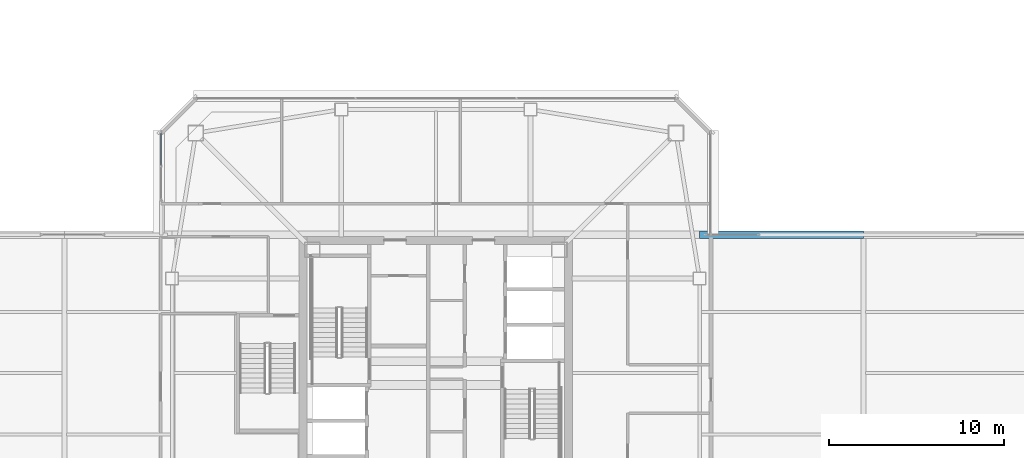
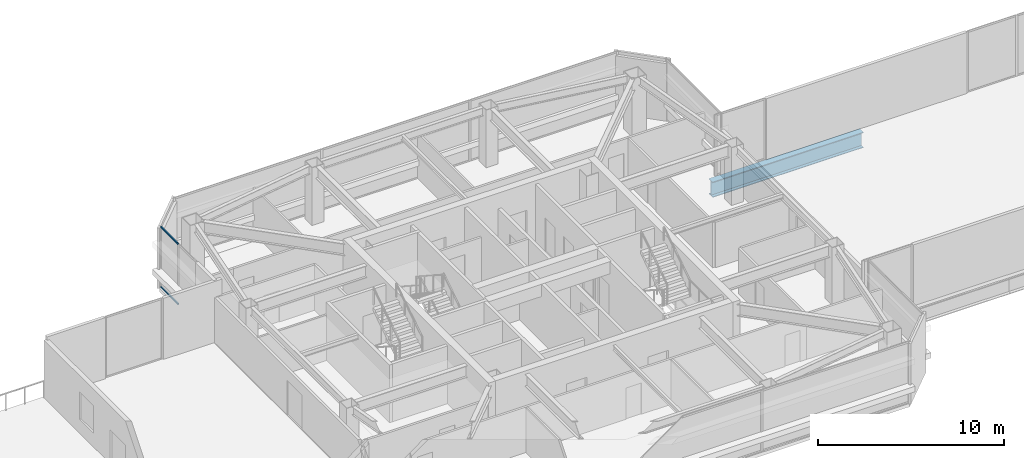
# One storey, part 15 of 51: 2 members, 1 beam, 1 element without a shape of its own.
"""IFC4 building model written with IfcOpenShell, lengths in metres."""

from ifc_helpers import new_model, si_unit, direction, frame, origin, origin_2d, place, context, subcontext, project, spatial, hollow_rectangle, i_section, extrude, material, material_profile, profile_set, type_object, element, aggregate, save


model = new_model("IFC4")

# Units and contexts
model_context = context("Model", 3, precision=1e-05, world=origin(), true_north=direction((0.0, 1.0)))
body_context = subcontext(model_context, "Body", "Model", "MODEL_VIEW")
ifc_project = project(units=[si_unit("LENGTHUNIT", "METRE"), si_unit("AREAUNIT", "SQUARE_METRE"), si_unit("VOLUMEUNIT", "CUBIC_METRE"), si_unit("PLANEANGLEUNIT", "RADIAN"), si_unit("MASSUNIT", "GRAM", prefix="KILO")], contexts=[model_context])

# Site, building, storey
site_placement = place(None, origin())
site = spatial("IfcSite", under=ifc_project, at=site_placement, CompositionType="ELEMENT")
building_placement = place(site_placement, origin())
building = spatial("IfcBuilding", under=site, at=building_placement, Name="Tashvorn Skyway Center", CompositionType="ELEMENT")
storey_placement = place(building_placement, frame((0.0, 0.0, 251.39990234375)))
storey = spatial("IfcBuildingStorey", under=building, at=storey_placement, Name="L68", CompositionType="ELEMENT", Elevation=251.39990234375)

# Beam
ifc_material_1 = material(Name="Steel ASTM A913 Grade 65", Category="steel")
ifc_material_profile_1 = material_profile(ifc_material_1, i_section(OverallWidth=0.40087890625, OverallDepth=1.010986328125, WebThickness=0.023681640625, FlangeThickness=0.0419921875, at=origin_2d()), Name="W40X297")
ifc_profile_set_1 = profile_set([ifc_material_profile_1], Name="Steel ASTM A913 Grade 65")
beam_type = type_object("IfcBeamType", Name="BM-BEAM-W40X297", PredefinedType="BEAM", material=ifc_profile_set_1)
beam_placement = place(storey_placement, frame((57.050048828125, 39.89990234375, -0.725341796875), z_axis=(1.0, 0.0, 0.0), x_axis=(0.0, 1.0, 0.0)))
element("IfcBeam", 1, at=beam_placement, inside=storey, type_object=beam_type, Name="Sky-Park Truss 2 Bottom Chord Panel 06", PredefinedType="BEAM", context=body_context, shape_type="SweptSolid", body=[
    extrude(i_section(OverallWidth=0.40087890625, OverallDepth=1.010986328125, WebThickness=0.023681640625, FlangeThickness=0.0419921875, at=origin_2d()), origin(), (0.0, 0.0, 1.0), 9.349853515625),
])

# Curtain wall, members
ifc_material_2 = material(Name="Thermally broken bronze-anodized aluminium 6063-T6", Category="aluminium")
curtain_wall_type = type_object("IfcCurtainWallType", Name="CW-CW-SKY", PredefinedType="NOTDEFINED", material=ifc_material_2)
curtain_wall_placement = place(storey_placement, origin())
curtain_wall = element("IfcCurtainWall", 2, at=curtain_wall_placement, inside=storey, type_object=curtain_wall_type, Name="Tower 1 L68 West Curtain Wall B Glazing Group 1", PredefinedType="NOTDEFINED")
ifc_material_profile_2 = material_profile(ifc_material_2, hollow_rectangle(XDim=0.06494140625, YDim=0.10498046875, WallThickness=0.00390625, at=origin_2d()), Name="ALU-TRAN-65x105")
ifc_profile_set_2 = profile_set([ifc_material_profile_2], Name="Thermally broken bronze-anodized aluminium 6063-T6")
member_type = type_object("IfcMemberType", Name="CWT-CW-SKY", PredefinedType="USERDEFINED", material=ifc_profile_set_2)
member_1_placement = place(storey_placement, frame((26.320068359375, 43.8525390625, 0.03271484375), z_axis=(0.0, 1.0, 0.0), x_axis=(-1.0, 0.0, 0.0)))
member_1 = element("IfcMember", 3, at=member_1_placement, type_object=member_type, Name="CW-SKY transom 2.1", ObjectType="TRANSOM", PredefinedType="USERDEFINED", context=body_context, shape_type="SweptSolid", body=[
    extrude(hollow_rectangle(XDim=0.06494140625, YDim=0.10498046875, WallThickness=0.00390625, at=origin_2d()), origin(), (0.0, 0.0, 1.0), 1.862548828125),
])
member_2_placement = place(storey_placement, frame((26.320068359375, 43.8525390625, 3.967529296875), z_axis=(0.0, 1.0, 0.0), x_axis=(-1.0, 0.0, 0.0)))
member_2 = element("IfcMember", 4, at=member_2_placement, type_object=member_type, Name="CW-SKY transom 2.2", ObjectType="TRANSOM", PredefinedType="USERDEFINED", context=body_context, shape_type="SweptSolid", body=[
    extrude(hollow_rectangle(XDim=0.06494140625, YDim=0.10498046875, WallThickness=0.00390625, at=origin_2d()), origin(), (0.0, 0.0, 1.0), 1.862548828125),
])
aggregate(curtain_wall, [member_1, member_2])

save(model, "model.ifc")
